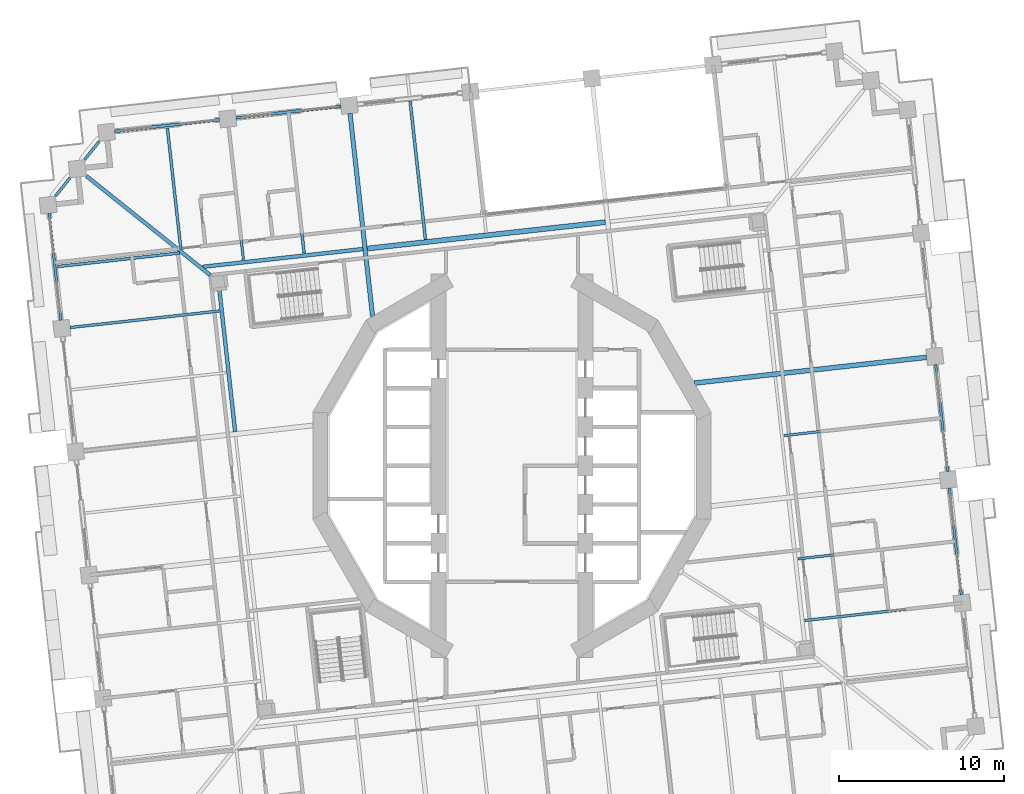
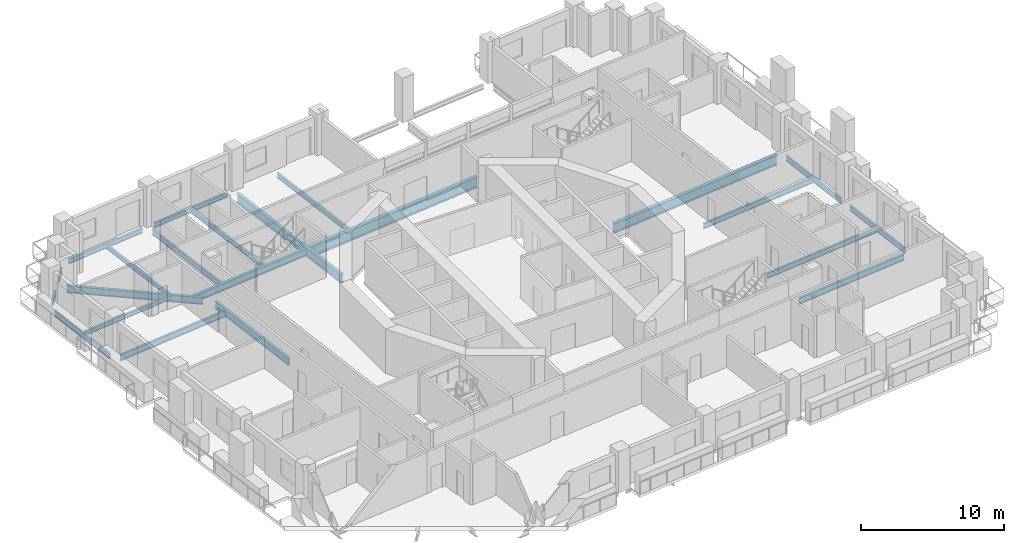
# One storey, part 2 of 20: 22 beams.
"""IFC4 building model written with IfcOpenShell, lengths in metres."""

from ifc_helpers import new_model, si_unit, direction, frame, origin, origin_2d, place, context, subcontext, project, spatial, i_section, extrude, material, material_profile, profile_set, type_object, element, save


model = new_model("IFC4")

# Units and contexts
model_context = context("Model", 3, precision=1e-05, world=origin(), true_north=direction((0.0, 1.0)))
body_context = subcontext(model_context, "Body", "Model", "MODEL_VIEW")
ifc_project = project(units=[si_unit("LENGTHUNIT", "METRE"), si_unit("AREAUNIT", "SQUARE_METRE"), si_unit("VOLUMEUNIT", "CUBIC_METRE"), si_unit("PLANEANGLEUNIT", "RADIAN"), si_unit("MASSUNIT", "GRAM", prefix="KILO")], contexts=[model_context])

# Site, building, storey
site_placement = place(None, origin())
site = spatial("IfcSite", under=ifc_project, at=site_placement, CompositionType="ELEMENT")
building_placement = place(site_placement, origin())
building = spatial("IfcBuilding", under=site, at=building_placement, Name="Cantera Rosa Tower", CompositionType="ELEMENT")
storey_placement = place(building_placement, frame((0.0, 0.0, 50.10009765625)))
storey = spatial("IfcBuildingStorey", under=building, at=storey_placement, Name="L09", CompositionType="ELEMENT", Elevation=50.10009765625)

# Beams
ifc_material_1 = material(Name="Steel ASTM A992 (Fy 345 MPa)", Category="steel")
ifc_material_profile_1 = material_profile(ifc_material_1, i_section(OverallWidth=0.154052734375, OverallDepth=0.4599609375, WebThickness=0.009033203125, FlangeThickness=0.015380859375, FilletRadius=0.01025390625, at=origin_2d()), Name="W460X68")
ifc_profile_set_1 = profile_set([ifc_material_profile_1], Name="Steel ASTM A992 (Fy 345 MPa)")
beam_type_1 = type_object("IfcBeamType", Name="STEEL BEAM W460X68", PredefinedType="BEAM", material=ifc_profile_set_1)
beam_1_placement = place(storey_placement, frame((-17.169677734375, 20.53125, -0.47998046875), z_axis=(0.110315740112, -0.993896592953, 0.0), x_axis=(0.993896592953, 0.110315740112, 0.0)))
element("IfcBeam", 1, at=beam_1_placement, inside=storey, type_object=beam_type_1, Name="G-Z1-09 L09", PredefinedType="BEAM", context=body_context, shape_type="SweptSolid", body=[
    extrude(i_section(OverallWidth=0.154052734375, OverallDepth=0.4599609375, WebThickness=0.009033203125, FlangeThickness=0.015380859375, FilletRadius=0.01025390625, at=origin_2d()), origin(), (0.0, 0.0, 1.0), 8.099853515625),
])
ifc_material_2 = material(Name="Steel ASTM A992 (Fy 345 MPa)", Category="steel")
ifc_material_profile_2 = material_profile(ifc_material_2, i_section(OverallWidth=0.166015625, OverallDepth=0.528076171875, WebThickness=0.009765625, FlangeThickness=0.013671875, FilletRadius=0.0126953125, at=origin_2d()), Name="W530X74")
ifc_profile_set_2 = profile_set([ifc_material_profile_2], Name="Steel ASTM A992 (Fy 345 MPa)")
beam_type_2 = type_object("IfcBeamType", Name="STEEL BEAM W530X74", PredefinedType="BEAM", material=ifc_profile_set_2)
for number, where, z_axis, x_axis, name in (
    (2, (26.78759765625, -8.376220703125, -0.51416015625), (-0.993899428859, -0.110290186845, 0.0), (0.110290186845, -0.993899428859, 0.0), "G-Z1-01 L09"),
    (3, (-26.78759765625, 8.376220703125, -0.51416015625), (0.993899428859, 0.110290186845, 0.0), (-0.110290186845, 0.993899428859, 0.0), "G-Z1-15 L09"),
):
    element("IfcBeam", number, at=place(storey_placement, frame(where, z_axis=z_axis, x_axis=x_axis)), inside=storey, type_object=beam_type_2, Name=name, PredefinedType="BEAM", context=body_context, shape_type="SweptSolid", body=[
        extrude(i_section(OverallWidth=0.166015625, OverallDepth=0.528076171875, WebThickness=0.009765625, FlangeThickness=0.013671875, FilletRadius=0.0126953125, at=origin_2d()), origin(), (0.0, 0.0, 1.0), 9.10009765625),
    ])
ifc_material_3 = material(Name="Steel ASTM A992 (Fy 345 MPa)", Category="steel")
ifc_material_profile_3 = material_profile(ifc_material_3, i_section(OverallWidth=0.22802734375, OverallDepth=0.60205078125, WebThickness=0.010498046875, FlangeThickness=0.014892578125, FilletRadius=0.0126953125, at=origin_2d()), Name="W610X101")
ifc_profile_set_3 = profile_set([ifc_material_profile_3], Name="Steel ASTM A992 (Fy 345 MPa)")
beam_type_3 = type_object("IfcBeamType", Name="STEEL BEAM W610X101", PredefinedType="BEAM", material=ifc_profile_set_3)
beam_2_placement = place(storey_placement, frame((-25.794677734375, 17.561767578125, -0.551025390625), z_axis=(0.78078211406, -0.62480340137, 0.0), x_axis=(0.62480340137, 0.78078211406, 0.0)))
element("IfcBeam", 4, at=beam_2_placement, inside=storey, type_object=beam_type_3, Name="CB-Z1-02 L09", PredefinedType="BEAM", context=body_context, shape_type="SweptSolid", body=[
    extrude(i_section(OverallWidth=0.22802734375, OverallDepth=0.60205078125, WebThickness=0.010498046875, FlangeThickness=0.014892578125, FilletRadius=0.0126953125, at=origin_2d()), origin(), (0.0, 0.0, 1.0), 9.61669921875),
])
beam_3_placement = place(storey_placement, frame((-16.781005859375, 2.071533203125, -0.551025390625), z_axis=(-0.110298932846, 0.993898458301, 0.0), x_axis=(-0.993898458301, -0.110298932846, 0.0)))
element("IfcBeam", 5, at=beam_3_placement, inside=storey, type_object=beam_type_3, Name="RB-Z1-12 L09", PredefinedType="BEAM", context=body_context, shape_type="SweptSolid", body=[
    extrude(i_section(OverallWidth=0.22802734375, OverallDepth=0.60205078125, WebThickness=0.010498046875, FlangeThickness=0.014892578125, FilletRadius=0.0126953125, at=origin_2d()), origin(), (0.0, 0.0, 1.0), 8.68994140625),
])
ifc_material_4 = material(Name="Steel ASTM A992 (Fy 345 MPa)", Category="steel")
ifc_material_profile_4 = material_profile(ifc_material_4, i_section(OverallWidth=0.22900390625, OverallDepth=0.612060546875, WebThickness=0.011962890625, FlangeThickness=0.01953125, FilletRadius=0.0126953125, at=origin_2d()), Name="W610X125")
ifc_profile_set_4 = profile_set([ifc_material_profile_4], Name="Steel ASTM A992 (Fy 345 MPa)")
beam_type_4 = type_object("IfcBeamType", Name="STEEL BEAM W610X125", PredefinedType="BEAM", material=ifc_profile_set_4)
beam_4_placement = place(storey_placement, frame((-18.744384765625, 12.055908203125, -0.55615234375), z_axis=(0.993898383269, 0.110299608956, 0.0), x_axis=(-0.110299608956, 0.993898383269, 0.0)))
element("IfcBeam", 6, at=beam_4_placement, inside=storey, type_object=beam_type_4, Name="RB-Z1-01 L09", PredefinedType="BEAM", context=body_context, shape_type="SweptSolid", body=[
    extrude(i_section(OverallWidth=0.22900390625, OverallDepth=0.612060546875, WebThickness=0.011962890625, FlangeThickness=0.01953125, FilletRadius=0.0126953125, at=origin_2d()), origin(), (0.0, 0.0, 1.0), 9.750244140625),
])
ifc_material_5 = material(Name="Steel ASTM A992 (Fy 345 MPa)", Category="steel")
ifc_material_profile_5 = material_profile(ifc_material_5, i_section(OverallWidth=0.26708984375, OverallDepth=0.75390625, WebThickness=0.01318359375, FlangeThickness=0.01708984375, FilletRadius=0.0166015625, at=origin_2d()), Name="W760X147")
ifc_profile_set_5 = profile_set([ifc_material_profile_5], Name="Steel ASTM A992 (Fy 345 MPa)")
beam_type_5 = type_object("IfcBeamType", Name="STEEL BEAM W760X147", PredefinedType="BEAM", material=ifc_profile_set_5)
beam_5_placement = place(storey_placement, frame((-9.814697265625, 21.34765625, -0.627197265625), z_axis=(0.110292782244, -0.993899140851, 0.0), x_axis=(0.993899140851, 0.110292782244, 0.0)))
element("IfcBeam", 7, at=beam_5_placement, inside=storey, type_object=beam_type_5, Name="G-Z1-08 L09", PredefinedType="BEAM", context=body_context, shape_type="SweptSolid", body=[
    extrude(i_section(OverallWidth=0.26708984375, OverallDepth=0.75390625, WebThickness=0.01318359375, FlangeThickness=0.01708984375, FilletRadius=0.0166015625, at=origin_2d()), origin(), (0.0, 0.0, 1.0), 12.360595703125),
])
ifc_material_6 = material(Name="Steel ASTM A992 (Fy 345 MPa)", Category="steel")
ifc_material_profile_6 = material_profile(ifc_material_6, i_section(OverallWidth=0.2919921875, OverallDepth=0.8359375, WebThickness=0.013916015625, FlangeThickness=0.018798828125, FilletRadius=0.017822265625, at=origin_2d()), Name="W840X176")
ifc_profile_set_6 = profile_set([ifc_material_profile_6], Name="Steel ASTM A992 (Fy 345 MPa)")
beam_type_6 = type_object("IfcBeamType", Name="STEEL BEAM W840X176", PredefinedType="BEAM", material=ifc_profile_set_6)
beam_6_placement = place(storey_placement, frame((25.12841796875, 6.572021484375, -0.668212890625), z_axis=(-0.993897599241, -0.110306673519, 0.0), x_axis=(0.110306673519, -0.993897599241, 0.0)))
element("IfcBeam", 8, at=beam_6_placement, inside=storey, type_object=beam_type_6, Name="G-Z1-03 L09", PredefinedType="BEAM", context=body_context, shape_type="SweptSolid", body=[
    extrude(i_section(OverallWidth=0.2919921875, OverallDepth=0.8359375, WebThickness=0.013916015625, FlangeThickness=0.018798828125, FilletRadius=0.017822265625, at=origin_2d()), origin(), (0.0, 0.0, 1.0), 14.1650390625),
])
ifc_material_7 = material(Name="Steel ASTM A992 (Fy 345 MPa)", Category="steel")
ifc_material_profile_7 = material_profile(ifc_material_7, i_section(OverallWidth=0.304931640625, OverallDepth=0.9189453125, WebThickness=0.017333984375, FlangeThickness=0.02783203125, FilletRadius=0.01904296875, at=origin_2d()), Name="W920X253")
ifc_profile_set_7 = profile_set([ifc_material_profile_7], Name="Steel ASTM A992 (Fy 345 MPa)")
beam_type_7 = type_object("IfcBeamType", Name="STEEL BEAM W920X253", PredefinedType="BEAM", material=ifc_profile_set_7)
beam_7_placement = place(storey_placement, frame((-8.755615234375, 13.16455078125, -0.709716796875), z_axis=(0.993898099692, 0.110302164209, 0.0), x_axis=(-0.110302164209, 0.993898099692, 0.0)))
element("IfcBeam", 9, at=beam_7_placement, inside=storey, type_object=beam_type_7, Name="RB-Z1-02 L09", PredefinedType="BEAM", context=body_context, shape_type="SweptSolid", body=[
    extrude(i_section(OverallWidth=0.304931640625, OverallDepth=0.9189453125, WebThickness=0.017333984375, FlangeThickness=0.02783203125, FilletRadius=0.01904296875, at=origin_2d()), origin(), (0.0, 0.0, 1.0), 14.499755859375),
])
ifc_material_8 = material(Name="Steel ASTM A992 (Fy 345 MPa)", Category="steel")
ifc_material_profile_8 = material_profile(ifc_material_8, i_section(OverallWidth=0.1708984375, OverallDepth=0.35595703125, WebThickness=0.00732421875, FlangeThickness=0.01171875, FilletRadius=0.010009765625, at=origin_2d()), Name="W360X51")
ifc_profile_set_8 = profile_set([ifc_material_profile_8], Name="Steel ASTM A992 (Fy 345 MPa)")
beam_type_8 = type_object("IfcBeamType", Name="STEEL JOIST W360X51", PredefinedType="JOIST", material=ifc_profile_set_8)
beam_8_placement = place(storey_placement, frame((-20.8857421875, 20.470947265625, -0.427978515625), z_axis=(0.110326513132, -0.993895397162, 0.0), x_axis=(0.993895397162, 0.110326513132, 0.0)))
element("IfcBeam", 10, at=beam_8_placement, inside=storey, type_object=beam_type_8, Name="B-Z1-11 L09", PredefinedType="JOIST", context=body_context, shape_type="SweptSolid", body=[
    extrude(i_section(OverallWidth=0.1708984375, OverallDepth=0.35595703125, WebThickness=0.00732421875, FlangeThickness=0.01171875, FilletRadius=0.010009765625, at=origin_2d()), origin(), (0.0, 0.0, 1.0), 7.39990234375),
])
beam_9_placement = place(storey_placement, frame((-27.550048828125, 12.074462890625, -0.427978515625), z_axis=(0.993895702238, 0.110323764768, 0.0), x_axis=(-0.110323764768, 0.993895702238, 0.0)))
element("IfcBeam", 11, at=beam_9_placement, inside=storey, type_object=beam_type_8, Name="B-Z1-18 L09", PredefinedType="JOIST", context=body_context, shape_type="SweptSolid", body=[
    extrude(i_section(OverallWidth=0.1708984375, OverallDepth=0.35595703125, WebThickness=0.00732421875, FlangeThickness=0.01171875, FilletRadius=0.010009765625, at=origin_2d()), origin(), (0.0, 0.0, 1.0), 7.4599609375),
])
ifc_material_9 = material(Name="Steel ASTM A992 (Fy 345 MPa)", Category="steel")
ifc_material_profile_9 = material_profile(ifc_material_9, i_section(OverallWidth=0.177978515625, OverallDepth=0.406005859375, WebThickness=0.0078125, FlangeThickness=0.0126953125, FilletRadius=0.01025390625, at=origin_2d()), Name="W410X60")
ifc_profile_set_9 = profile_set([ifc_material_profile_9], Name="Steel ASTM A992 (Fy 345 MPa)")
beam_type_9 = type_object("IfcBeamType", Name="STEEL JOIST W410X60", PredefinedType="JOIST", material=ifc_profile_set_9)
for number, where, z_axis, x_axis, name in (
    (12, (-6.176025390625, 22.103515625, -0.453125), (0.110311022989, -0.99389711651, 0.0), (0.99389711651, 0.110311022989, 0.0), "B-Z1-09 L09"),
    (13, (-13.53076171875, 21.287353515625, -0.453125), (0.110311022989, -0.99389711651, 0.0), (0.99389711651, 0.110311022989, 0.0), "B-Z1-10 L09"),
):
    element("IfcBeam", number, at=place(storey_placement, frame(where, z_axis=z_axis, x_axis=x_axis)), inside=storey, type_object=beam_type_9, Name=name, PredefinedType="JOIST", context=body_context, shape_type="SweptSolid", body=[
        extrude(i_section(OverallWidth=0.177978515625, OverallDepth=0.406005859375, WebThickness=0.0078125, FlangeThickness=0.0126953125, FilletRadius=0.01025390625, at=origin_2d()), origin(), (0.0, 0.0, 1.0), 8.449951171875),
    ])
ifc_material_10 = material(Name="Steel ASTM A992 (Fy 345 MPa)", Category="steel")
ifc_material_profile_10 = material_profile(ifc_material_10, i_section(OverallWidth=0.154052734375, OverallDepth=0.4599609375, WebThickness=0.009033203125, FlangeThickness=0.015380859375, FilletRadius=0.01025390625, at=origin_2d()), Name="W460X68")
ifc_profile_set_10 = profile_set([ifc_material_profile_10], Name="Steel ASTM A992 (Fy 345 MPa)")
beam_type_10 = type_object("IfcBeamType", Name="STEEL JOIST W460X68", PredefinedType="JOIST", material=ifc_profile_set_10)
for number, where, z_axis, x_axis, name in (
    (14, (26.720458984375, -4.600341796875, -0.47998046875), (-0.993896645353, -0.110315268011, 0.0), (0.110315268011, -0.993896645353, 0.0), "B-Z1-02 L09"),
    (15, (25.89111328125, 2.87353515625, -0.47998046875), (-0.993899477629, -0.110289747342, 0.0), (0.110289747342, -0.993899477629, 0.0), "B-Z1-03 L09"),
):
    element("IfcBeam", number, at=place(storey_placement, frame(where, z_axis=z_axis, x_axis=x_axis)), inside=storey, type_object=beam_type_10, Name=name, PredefinedType="JOIST", context=body_context, shape_type="SweptSolid", body=[
        extrude(i_section(OverallWidth=0.154052734375, OverallDepth=0.4599609375, WebThickness=0.009033203125, FlangeThickness=0.015380859375, FilletRadius=0.01025390625, at=origin_2d()), origin(), (0.0, 0.0, 1.0), 9.449951171875),
    ])
ifc_material_11 = material(Name="Steel ASTM A992 (Fy 345 MPa)", Category="steel")
ifc_material_profile_11 = material_profile(ifc_material_11, i_section(OverallWidth=0.1708984375, OverallDepth=0.35595703125, WebThickness=0.00732421875, FlangeThickness=0.01171875, FilletRadius=0.010009765625, at=origin_2d()), Name="W360X51")
ifc_profile_set_11 = profile_set([ifc_material_profile_11], Name="Steel ASTM A992 (Fy 345 MPa)")
beam_type_11 = type_object("IfcBeamType", Name="STEEL SPANDREL BEAM W360X51", PredefinedType="SPANDREL", material=ifc_profile_set_11)
for number, where, z_axis, x_axis, name in (
    (16, (-25.021484375, 19.659912109375, -0.427978515625), (-0.624758203863, -0.780818280208, 0.0), (0.780818280208, -0.624758203863, 0.0), "EB-Z1-14 L09"),
    (17, (-26.78857421875, 17.451416015625, -0.427978515625), (-0.624758203863, -0.780818280208, 0.0), (0.780818280208, -0.624758203863, 0.0), "EB-Z1-15 L09"),
):
    element("IfcBeam", number, at=place(storey_placement, frame(where, z_axis=z_axis, x_axis=x_axis)), inside=storey, type_object=beam_type_11, Name=name, PredefinedType="SPANDREL", context=body_context, shape_type="SweptSolid", body=[
        extrude(i_section(OverallWidth=0.1708984375, OverallDepth=0.35595703125, WebThickness=0.00732421875, FlangeThickness=0.01171875, FilletRadius=0.010009765625, at=origin_2d()), origin(), (0.0, 0.0, 1.0), 1.414306640625),
    ])
ifc_material_12 = material(Name="Steel ASTM A992 (Fy 345 MPa)", Category="steel")
ifc_material_profile_12 = material_profile(ifc_material_12, i_section(OverallWidth=0.177978515625, OverallDepth=0.406005859375, WebThickness=0.0078125, FlangeThickness=0.0126953125, FilletRadius=0.01025390625, at=origin_2d()), Name="W410X60")
ifc_profile_set_12 = profile_set([ifc_material_profile_12], Name="Steel ASTM A992 (Fy 345 MPa)")
beam_type_12 = type_object("IfcBeamType", Name="STEEL SPANDREL BEAM W410X60", PredefinedType="SPANDREL", material=ifc_profile_set_12)
beam_10_placement = place(storey_placement, frame((-10.366943359375, 21.789306640625, -0.453125), z_axis=(-0.993900006422, -0.110284981906, 0.0), x_axis=(0.110284981906, -0.993900006422, 0.0)))
element("IfcBeam", 18, at=beam_10_placement, inside=storey, type_object=beam_type_12, Name="EB-Z1-12 L09", PredefinedType="SPANDREL", context=body_context, shape_type="SweptSolid", body=[
    extrude(i_section(OverallWidth=0.177978515625, OverallDepth=0.406005859375, WebThickness=0.0078125, FlangeThickness=0.0126953125, FilletRadius=0.01025390625, at=origin_2d()), origin(), (0.0, 0.0, 1.0), 6.39990234375),
])
beam_11_placement = place(storey_placement, frame((-17.7216796875, 20.97314453125, -0.453125), z_axis=(-0.993896288542, -0.110318482689, 0.0), x_axis=(0.110318482689, -0.993896288542, 0.0)))
element("IfcBeam", 19, at=beam_11_placement, inside=storey, type_object=beam_type_12, Name="EB-Z1-13 L09", PredefinedType="SPANDREL", context=body_context, shape_type="SweptSolid", body=[
    extrude(i_section(OverallWidth=0.177978515625, OverallDepth=0.406005859375, WebThickness=0.0078125, FlangeThickness=0.0126953125, FilletRadius=0.01025390625, at=origin_2d()), origin(), (0.0, 0.0, 1.0), 6.400146484375),
])
ifc_material_13 = material(Name="Steel ASTM A992 (Fy 345 MPa)", Category="steel")
ifc_material_profile_13 = material_profile(ifc_material_13, i_section(OverallWidth=0.154052734375, OverallDepth=0.4599609375, WebThickness=0.009033203125, FlangeThickness=0.015380859375, FilletRadius=0.01025390625, at=origin_2d()), Name="W460X68")
ifc_profile_set_13 = profile_set([ifc_material_profile_13], Name="Steel ASTM A992 (Fy 345 MPa)")
beam_type_13 = type_object("IfcBeamType", Name="STEEL SPANDREL BEAM W460X68", PredefinedType="SPANDREL", material=ifc_profile_set_13)
for number, where, z_axis, x_axis, name in (
    (20, (27.229248046875, -7.823974609375, -0.47998046875), (-0.110312341265, 0.993896970196, 0.0), (-0.993896970196, -0.110312341265, 0.0), "EB-Z1-02 L09"),
    (21, (26.399658203125, -0.349853515625, -0.47998046875), (-0.110312341265, 0.993896970196, 0.0), (-0.993896970196, -0.110312341265, 0.0), "EB-Z1-03 L09"),
    (22, (-28.058837890625, 15.298095703125, -0.47998046875), (0.110312341265, -0.993896970196, 0.0), (0.993896970196, 0.110312341265, 0.0), "EB-Z1-16 L09"),
):
    element("IfcBeam", number, at=place(storey_placement, frame(where, z_axis=z_axis, x_axis=x_axis)), inside=storey, type_object=beam_type_13, Name=name, PredefinedType="SPANDREL", context=body_context, shape_type="SweptSolid", body=[
        extrude(i_section(OverallWidth=0.154052734375, OverallDepth=0.4599609375, WebThickness=0.009033203125, FlangeThickness=0.015380859375, FilletRadius=0.01025390625, at=origin_2d()), origin(), (0.0, 0.0, 1.0), 6.52001953125),
    ])

save(model, "model.ifc")
